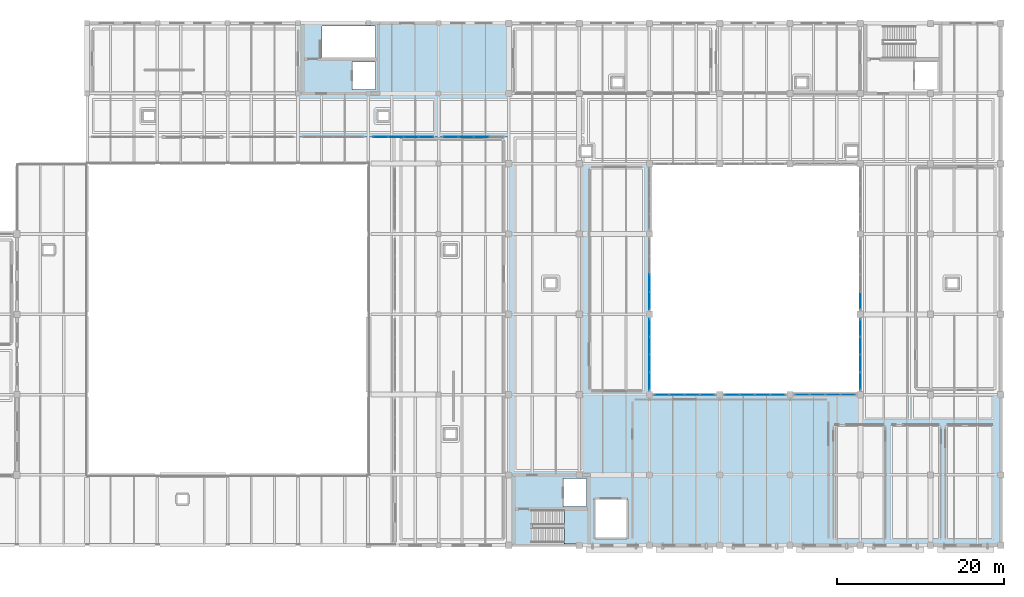
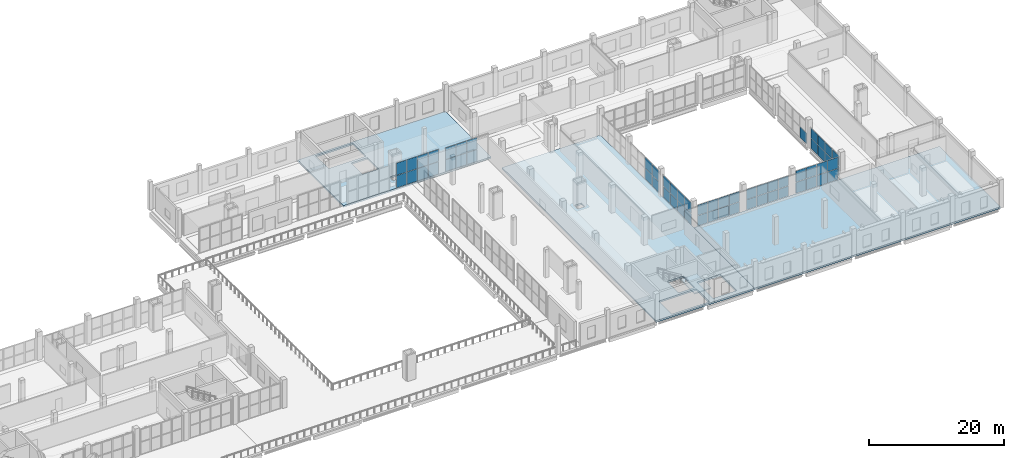
# One storey, part 54 of 77: 59 plates, 4 slabs, 10 elements without a shape of their own.
"""IFC4 building model written with IfcOpenShell, lengths in metres."""

from ifc_helpers import new_model, si_unit, direction, frame, origin, origin_2d, place, context, subcontext, project, spatial, polyline, rectangle, outline, extrude, material, layer, layer_set, type_object, element, aggregate, save


model = new_model("IFC4")

# Units and contexts
model_context = context("Model", 3, precision=1e-05, world=origin(), true_north=direction((0.0, 1.0)))
body_context = subcontext(model_context, "Body", "Model", "MODEL_VIEW")
ifc_project = project(units=[si_unit("LENGTHUNIT", "METRE"), si_unit("AREAUNIT", "SQUARE_METRE"), si_unit("VOLUMEUNIT", "CUBIC_METRE"), si_unit("PLANEANGLEUNIT", "RADIAN"), si_unit("MASSUNIT", "GRAM", prefix="KILO")], contexts=[model_context])

# Site, building, storey
site_placement = place(None, origin())
site = spatial("IfcSite", under=ifc_project, at=site_placement, CompositionType="ELEMENT")
building_placement = place(site_placement, origin())
building = spatial("IfcBuilding", under=site, at=building_placement, Name="Zulmaris Art Gallery", CompositionType="ELEMENT")
storey_placement = place(building_placement, frame((0.0, 0.0, 15.60009765625)))
storey = spatial("IfcBuildingStorey", under=building, at=storey_placement, Name="L03", CompositionType="ELEMENT", Elevation=15.60009765625)

# Curtain wall, plates
ifc_material_1 = material(Name="Unitised Low-E Gallery Curtain Wall", Category="aluminium")
ifc_layer_1 = layer(ifc_material_1, 0.179931640625)
ifc_layer_set_1 = layer_set([ifc_layer_1], Name="Unitised Low-E Gallery Curtain Wall")
curtain_wall_type_1 = type_object("IfcCurtainWallType", Name="CW-CW01", PredefinedType="NOTDEFINED", material=ifc_layer_set_1)
curtain_wall_1_placement = place(storey_placement, origin())
curtain_wall_1 = element("IfcCurtainWall", 1, at=curtain_wall_1_placement, inside=storey, type_object=curtain_wall_type_1, Name="L03 curtain wall 117", PredefinedType="NOTDEFINED")
ifc_material_2 = material(Name="Triple Solar-Control Laminated Glass", Category="glass")
ifc_layer_2 = layer(ifc_material_2, 0.035888671875)
ifc_layer_set_2 = layer_set([ifc_layer_2], Name="Triple Solar-Control Laminated Glass")
plate_type = type_object("IfcPlateType", Name="CWPAN-GLZ", PredefinedType="CURTAIN_PANEL", material=ifc_layer_set_2)
plate_1_placement = place(storey_placement, frame((126.273681640625, 62.0, 0.074951171875), z_axis=(0.0, 0.0, 1.0), x_axis=(1.0, 0.0, 0.0)))
plate_1 = element("IfcPlate", 2, at=plate_1_placement, type_object=plate_type, Name="CW01 panel 1.1", PredefinedType="CURTAIN_PANEL", context=body_context, shape_type="SweptSolid", body=[
    extrude(rectangle(XDim=1.717529296875, YDim=0.031982421875, at=origin_2d()), origin(), (0.0, 0.0, 1.0), 2.1875),
])
plate_2_placement = place(storey_placement, frame((126.273681640625, 62.0, 2.33740234375), z_axis=(0.0, 0.0, 1.0), x_axis=(1.0, 0.0, 0.0)))
plate_2 = element("IfcPlate", 3, at=plate_2_placement, type_object=plate_type, Name="CW01 panel 1.2", PredefinedType="CURTAIN_PANEL", context=body_context, shape_type="SweptSolid", body=[
    extrude(rectangle(XDim=1.717529296875, YDim=0.031982421875, at=origin_2d()), origin(), (0.0, 0.0, 1.0), 2.1875),
])
plate_3_placement = place(storey_placement, frame((128.0849609375, 62.0, 0.074951171875), z_axis=(0.0, 0.0, 1.0), x_axis=(1.0, 0.0, 0.0)))
plate_3 = element("IfcPlate", 4, at=plate_3_placement, type_object=plate_type, Name="CW01 panel 2.1", PredefinedType="CURTAIN_PANEL", context=body_context, shape_type="SweptSolid", body=[
    extrude(rectangle(XDim=1.7548828125, YDim=0.031982421875, at=origin_2d()), origin(), (0.0, 0.0, 1.0), 2.1875),
])
plate_4_placement = place(storey_placement, frame((128.0849609375, 62.0, 2.33740234375), z_axis=(0.0, 0.0, 1.0), x_axis=(1.0, 0.0, 0.0)))
plate_4 = element("IfcPlate", 5, at=plate_4_placement, type_object=plate_type, Name="CW01 panel 2.2", PredefinedType="CURTAIN_PANEL", context=body_context, shape_type="SweptSolid", body=[
    extrude(rectangle(XDim=1.7548828125, YDim=0.031982421875, at=origin_2d()), origin(), (0.0, 0.0, 1.0), 2.1875),
])
plate_5_placement = place(storey_placement, frame((129.9150390625, 62.0, 0.074951171875), z_axis=(0.0, 0.0, 1.0), x_axis=(1.0, 0.0, 0.0)))
plate_5 = element("IfcPlate", 6, at=plate_5_placement, type_object=plate_type, Name="CW01 panel 3.1", PredefinedType="CURTAIN_PANEL", context=body_context, shape_type="SweptSolid", body=[
    extrude(rectangle(XDim=1.7548828125, YDim=0.031982421875, at=origin_2d()), origin(), (0.0, 0.0, 1.0), 2.1875),
])
plate_6_placement = place(storey_placement, frame((129.9150390625, 62.0, 2.33740234375), z_axis=(0.0, 0.0, 1.0), x_axis=(1.0, 0.0, 0.0)))
plate_6 = element("IfcPlate", 7, at=plate_6_placement, type_object=plate_type, Name="CW01 panel 3.2", PredefinedType="CURTAIN_PANEL", context=body_context, shape_type="SweptSolid", body=[
    extrude(rectangle(XDim=1.7548828125, YDim=0.031982421875, at=origin_2d()), origin(), (0.0, 0.0, 1.0), 2.1875),
])
plate_7_placement = place(storey_placement, frame((131.726318359375, 62.0, 0.074951171875), z_axis=(0.0, 0.0, 1.0), x_axis=(1.0, 0.0, 0.0)))
plate_7 = element("IfcPlate", 8, at=plate_7_placement, type_object=plate_type, Name="CW01 panel 4.1", PredefinedType="CURTAIN_PANEL", context=body_context, shape_type="SweptSolid", body=[
    extrude(rectangle(XDim=1.717529296875, YDim=0.031982421875, at=origin_2d()), origin(), (0.0, 0.0, 1.0), 2.1875),
])
plate_8_placement = place(storey_placement, frame((131.726318359375, 62.0, 2.33740234375), z_axis=(0.0, 0.0, 1.0), x_axis=(1.0, 0.0, 0.0)))
plate_8 = element("IfcPlate", 9, at=plate_8_placement, type_object=plate_type, Name="CW01 panel 4.2", PredefinedType="CURTAIN_PANEL", context=body_context, shape_type="SweptSolid", body=[
    extrude(rectangle(XDim=1.717529296875, YDim=0.031982421875, at=origin_2d()), origin(), (0.0, 0.0, 1.0), 2.1875),
])
aggregate(curtain_wall_1, [plate_1, plate_2, plate_3, plate_4, plate_5, plate_6, plate_7, plate_8])

curtain_wall_2_placement = place(storey_placement, origin())
curtain_wall_2 = element("IfcCurtainWall", 10, at=curtain_wall_2_placement, inside=storey, type_object=curtain_wall_type_1, Name="L03 curtain wall 118", PredefinedType="NOTDEFINED")
plate_9_placement = place(storey_placement, frame((134.673828125, 62.0, 0.074951171875), z_axis=(0.0, 0.0, 1.0), x_axis=(1.0, 0.0, 0.0)))
plate_9 = element("IfcPlate", 11, at=plate_9_placement, type_object=plate_type, Name="CW01 panel 1.1", PredefinedType="CURTAIN_PANEL", context=body_context, shape_type="SweptSolid", body=[
    extrude(rectangle(XDim=1.717529296875, YDim=0.031982421875, at=origin_2d()), origin(), (0.0, 0.0, 1.0), 2.107421875),
])
plate_10_placement = place(storey_placement, frame((134.673828125, 62.0, 2.25732421875), z_axis=(0.0, 0.0, 1.0), x_axis=(1.0, 0.0, 0.0)))
plate_10 = element("IfcPlate", 12, at=plate_10_placement, type_object=plate_type, Name="CW01 panel 1.2", PredefinedType="CURTAIN_PANEL", context=body_context, shape_type="SweptSolid", body=[
    extrude(rectangle(XDim=1.717529296875, YDim=0.031982421875, at=origin_2d()), origin(), (0.0, 0.0, 1.0), 2.107421875),
])
plate_11_placement = place(storey_placement, frame((136.485107421875, 62.0, 0.074951171875), z_axis=(0.0, 0.0, 1.0), x_axis=(1.0, 0.0, 0.0)))
plate_11 = element("IfcPlate", 13, at=plate_11_placement, type_object=plate_type, Name="CW01 panel 2.1", PredefinedType="CURTAIN_PANEL", context=body_context, shape_type="SweptSolid", body=[
    extrude(rectangle(XDim=1.7548828125, YDim=0.031982421875, at=origin_2d()), origin(), (0.0, 0.0, 1.0), 2.107421875),
])
plate_12_placement = place(storey_placement, frame((136.485107421875, 62.0, 2.25732421875), z_axis=(0.0, 0.0, 1.0), x_axis=(1.0, 0.0, 0.0)))
plate_12 = element("IfcPlate", 14, at=plate_12_placement, type_object=plate_type, Name="CW01 panel 2.2", PredefinedType="CURTAIN_PANEL", context=body_context, shape_type="SweptSolid", body=[
    extrude(rectangle(XDim=1.7548828125, YDim=0.031982421875, at=origin_2d()), origin(), (0.0, 0.0, 1.0), 2.107421875),
])
plate_13_placement = place(storey_placement, frame((138.31494140625, 62.0, 0.074951171875), z_axis=(0.0, 0.0, 1.0), x_axis=(1.0, 0.0, 0.0)))
plate_13 = element("IfcPlate", 15, at=plate_13_placement, type_object=plate_type, Name="CW01 panel 3.1", PredefinedType="CURTAIN_PANEL", context=body_context, shape_type="SweptSolid", body=[
    extrude(rectangle(XDim=1.7548828125, YDim=0.031982421875, at=origin_2d()), origin(), (0.0, 0.0, 1.0), 2.107421875),
])
plate_14_placement = place(storey_placement, frame((138.31494140625, 62.0, 2.25732421875), z_axis=(0.0, 0.0, 1.0), x_axis=(1.0, 0.0, 0.0)))
plate_14 = element("IfcPlate", 16, at=plate_14_placement, type_object=plate_type, Name="CW01 panel 3.2", PredefinedType="CURTAIN_PANEL", context=body_context, shape_type="SweptSolid", body=[
    extrude(rectangle(XDim=1.7548828125, YDim=0.031982421875, at=origin_2d()), origin(), (0.0, 0.0, 1.0), 2.107421875),
])
aggregate(curtain_wall_2, [plate_9, plate_10, plate_11, plate_12, plate_13, plate_14])

ifc_material_3 = material(Name="Courtyard Artists Studio Curtain Wall", Category="aluminium")
ifc_layer_3 = layer(ifc_material_3, 0.179931640625)
ifc_layer_set_3 = layer_set([ifc_layer_3], Name="Courtyard Artists Studio Curtain Wall")
curtain_wall_type_2 = type_object("IfcCurtainWallType", Name="CW-CW04", PredefinedType="NOTDEFINED", material=ifc_layer_set_3)
curtain_wall_3_placement = place(storey_placement, origin())
curtain_wall_3 = element("IfcCurtainWall", 17, at=curtain_wall_3_placement, inside=storey, type_object=curtain_wall_type_2, Name="L03 curtain wall 147", PredefinedType="NOTDEFINED")
plate_15_placement = place(storey_placement, frame((158.39990234375, 32.82373046875, 0.07470703125), z_axis=(0.0, 0.0, 1.0), x_axis=(0.0, 1.0, 0.0)))
plate_15 = element("IfcPlate", 18, at=plate_15_placement, type_object=plate_type, Name="CW04 panel 1.1", PredefinedType="CURTAIN_PANEL", context=body_context, shape_type="SweptSolid", body=[
    extrude(rectangle(XDim=2.017578125, YDim=0.031982421875, at=origin_2d()), origin(), (0.0, 0.0, 1.0), 1.947509765625),
])
plate_16_placement = place(storey_placement, frame((158.39990234375, 32.82373046875, 2.09716796875), z_axis=(0.0, 0.0, 1.0), x_axis=(0.0, 1.0, 0.0)))
plate_16 = element("IfcPlate", 19, at=plate_16_placement, type_object=plate_type, Name="CW04 panel 1.2", PredefinedType="CURTAIN_PANEL", context=body_context, shape_type="SweptSolid", body=[
    extrude(rectangle(XDim=2.017578125, YDim=0.031982421875, at=origin_2d()), origin(), (0.0, 0.0, 1.0), 1.947509765625),
])
plate_17_placement = place(storey_placement, frame((158.39990234375, 34.93505859375, 0.07470703125), z_axis=(0.0, 0.0, 1.0), x_axis=(0.0, 1.0, 0.0)))
plate_17 = element("IfcPlate", 20, at=plate_17_placement, type_object=plate_type, Name="CW04 panel 2.1", PredefinedType="CURTAIN_PANEL", context=body_context, shape_type="SweptSolid", body=[
    extrude(rectangle(XDim=2.054931640625, YDim=0.031982421875, at=origin_2d()), origin(), (0.0, 0.0, 1.0), 1.947509765625),
])
plate_18_placement = place(storey_placement, frame((158.39990234375, 34.93505859375, 2.09716796875), z_axis=(0.0, 0.0, 1.0), x_axis=(0.0, 1.0, 0.0)))
plate_18 = element("IfcPlate", 21, at=plate_18_placement, type_object=plate_type, Name="CW04 panel 2.2", PredefinedType="CURTAIN_PANEL", context=body_context, shape_type="SweptSolid", body=[
    extrude(rectangle(XDim=2.054931640625, YDim=0.031982421875, at=origin_2d()), origin(), (0.0, 0.0, 1.0), 1.947509765625),
])
plate_19_placement = place(storey_placement, frame((158.39990234375, 37.06494140625, 0.07470703125), z_axis=(0.0, 0.0, 1.0), x_axis=(0.0, 1.0, 0.0)))
plate_19 = element("IfcPlate", 22, at=plate_19_placement, type_object=plate_type, Name="CW04 panel 3.1", PredefinedType="CURTAIN_PANEL", context=body_context, shape_type="SweptSolid", body=[
    extrude(rectangle(XDim=2.054931640625, YDim=0.031982421875, at=origin_2d()), origin(), (0.0, 0.0, 1.0), 1.947509765625),
])
plate_20_placement = place(storey_placement, frame((158.39990234375, 37.06494140625, 2.09716796875), z_axis=(0.0, 0.0, 1.0), x_axis=(0.0, 1.0, 0.0)))
plate_20 = element("IfcPlate", 23, at=plate_20_placement, type_object=plate_type, Name="CW04 panel 3.2", PredefinedType="CURTAIN_PANEL", context=body_context, shape_type="SweptSolid", body=[
    extrude(rectangle(XDim=2.054931640625, YDim=0.031982421875, at=origin_2d()), origin(), (0.0, 0.0, 1.0), 1.947509765625),
])
plate_21_placement = place(storey_placement, frame((158.39990234375, 39.17626953125, 0.07470703125), z_axis=(0.0, 0.0, 1.0), x_axis=(0.0, 1.0, 0.0)))
plate_21 = element("IfcPlate", 24, at=plate_21_placement, type_object=plate_type, Name="CW04 panel 4.1", PredefinedType="CURTAIN_PANEL", context=body_context, shape_type="SweptSolid", body=[
    extrude(rectangle(XDim=2.017578125, YDim=0.031982421875, at=origin_2d()), origin(), (0.0, 0.0, 1.0), 1.947509765625),
])
plate_22_placement = place(storey_placement, frame((158.39990234375, 39.17626953125, 2.09716796875), z_axis=(0.0, 0.0, 1.0), x_axis=(0.0, 1.0, 0.0)))
plate_22 = element("IfcPlate", 25, at=plate_22_placement, type_object=plate_type, Name="CW04 panel 4.2", PredefinedType="CURTAIN_PANEL", context=body_context, shape_type="SweptSolid", body=[
    extrude(rectangle(XDim=2.017578125, YDim=0.031982421875, at=origin_2d()), origin(), (0.0, 0.0, 1.0), 1.947509765625),
])
aggregate(curtain_wall_3, [plate_15, plate_16, plate_17, plate_18, plate_19, plate_20, plate_21, plate_22])

curtain_wall_4_placement = place(storey_placement, origin())
curtain_wall_4 = element("IfcCurtainWall", 26, at=curtain_wall_4_placement, inside=storey, type_object=curtain_wall_type_2, Name="L03 curtain wall 148", PredefinedType="NOTDEFINED")
plate_23_placement = place(storey_placement, frame((183.60009765625, 39.17626953125, 0.074951171875), z_axis=(0.0, 0.0, 1.0), x_axis=(0.0, -1.0, 0.0)))
plate_23 = element("IfcPlate", 27, at=plate_23_placement, type_object=plate_type, Name="CW04 panel 1.1", PredefinedType="CURTAIN_PANEL", context=body_context, shape_type="SweptSolid", body=[
    extrude(rectangle(XDim=2.017578125, YDim=0.031982421875, at=origin_2d()), origin(), (0.0, 0.0, 1.0), 1.79248046875),
])
plate_24_placement = place(storey_placement, frame((183.60009765625, 39.17626953125, 1.9423828125), z_axis=(0.0, 0.0, 1.0), x_axis=(0.0, -1.0, 0.0)))
plate_24 = element("IfcPlate", 28, at=plate_24_placement, type_object=plate_type, Name="CW04 panel 1.2", PredefinedType="CURTAIN_PANEL", context=body_context, shape_type="SweptSolid", body=[
    extrude(rectangle(XDim=2.017578125, YDim=0.031982421875, at=origin_2d()), origin(), (0.0, 0.0, 1.0), 1.79248046875),
])
plate_25_placement = place(storey_placement, frame((183.60009765625, 37.06494140625, 0.074951171875), z_axis=(0.0, 0.0, 1.0), x_axis=(0.0, -1.0, 0.0)))
plate_25 = element("IfcPlate", 29, at=plate_25_placement, type_object=plate_type, Name="CW04 panel 2.1", PredefinedType="CURTAIN_PANEL", context=body_context, shape_type="SweptSolid", body=[
    extrude(rectangle(XDim=2.054931640625, YDim=0.031982421875, at=origin_2d()), origin(), (0.0, 0.0, 1.0), 1.79248046875),
])
plate_26_placement = place(storey_placement, frame((183.60009765625, 37.06494140625, 1.9423828125), z_axis=(0.0, 0.0, 1.0), x_axis=(0.0, -1.0, 0.0)))
plate_26 = element("IfcPlate", 30, at=plate_26_placement, type_object=plate_type, Name="CW04 panel 2.2", PredefinedType="CURTAIN_PANEL", context=body_context, shape_type="SweptSolid", body=[
    extrude(rectangle(XDim=2.054931640625, YDim=0.031982421875, at=origin_2d()), origin(), (0.0, 0.0, 1.0), 1.79248046875),
])
plate_27_placement = place(storey_placement, frame((183.60009765625, 34.93505859375, 0.074951171875), z_axis=(0.0, 0.0, 1.0), x_axis=(0.0, -1.0, 0.0)))
plate_27 = element("IfcPlate", 31, at=plate_27_placement, type_object=plate_type, Name="CW04 panel 3.1", PredefinedType="CURTAIN_PANEL", context=body_context, shape_type="SweptSolid", body=[
    extrude(rectangle(XDim=2.054931640625, YDim=0.031982421875, at=origin_2d()), origin(), (0.0, 0.0, 1.0), 1.79248046875),
])
plate_28_placement = place(storey_placement, frame((183.60009765625, 34.93505859375, 1.9423828125), z_axis=(0.0, 0.0, 1.0), x_axis=(0.0, -1.0, 0.0)))
plate_28 = element("IfcPlate", 32, at=plate_28_placement, type_object=plate_type, Name="CW04 panel 3.2", PredefinedType="CURTAIN_PANEL", context=body_context, shape_type="SweptSolid", body=[
    extrude(rectangle(XDim=2.054931640625, YDim=0.031982421875, at=origin_2d()), origin(), (0.0, 0.0, 1.0), 1.79248046875),
])
plate_29_placement = place(storey_placement, frame((183.60009765625, 32.82373046875, 0.074951171875), z_axis=(0.0, 0.0, 1.0), x_axis=(0.0, -1.0, 0.0)))
plate_29 = element("IfcPlate", 33, at=plate_29_placement, type_object=plate_type, Name="CW04 panel 4.1", PredefinedType="CURTAIN_PANEL", context=body_context, shape_type="SweptSolid", body=[
    extrude(rectangle(XDim=2.017578125, YDim=0.031982421875, at=origin_2d()), origin(), (0.0, 0.0, 1.0), 1.79248046875),
])
plate_30_placement = place(storey_placement, frame((183.60009765625, 32.82373046875, 1.9423828125), z_axis=(0.0, 0.0, 1.0), x_axis=(0.0, -1.0, 0.0)))
plate_30 = element("IfcPlate", 34, at=plate_30_placement, type_object=plate_type, Name="CW04 panel 4.2", PredefinedType="CURTAIN_PANEL", context=body_context, shape_type="SweptSolid", body=[
    extrude(rectangle(XDim=2.017578125, YDim=0.031982421875, at=origin_2d()), origin(), (0.0, 0.0, 1.0), 1.79248046875),
])
aggregate(curtain_wall_4, [plate_23, plate_24, plate_25, plate_26, plate_27, plate_28, plate_29, plate_30])

curtain_wall_5_placement = place(storey_placement, origin())
curtain_wall_5 = element("IfcCurtainWall", 35, at=curtain_wall_5_placement, inside=storey, type_object=curtain_wall_type_2, Name="L03 curtain wall 149", PredefinedType="NOTDEFINED")
plate_31_placement = place(storey_placement, frame((158.39990234375, 42.423828125, 0.07470703125), z_axis=(0.0, 0.0, 1.0), x_axis=(0.0, 1.0, 0.0)))
plate_31 = element("IfcPlate", 36, at=plate_31_placement, type_object=plate_type, Name="CW04 panel 1.1", PredefinedType="CURTAIN_PANEL", context=body_context, shape_type="SweptSolid", body=[
    extrude(rectangle(XDim=2.017578125, YDim=0.031982421875, at=origin_2d()), origin(), (0.0, 0.0, 1.0), 1.947509765625),
])
plate_32_placement = place(storey_placement, frame((158.39990234375, 42.423828125, 2.09716796875), z_axis=(0.0, 0.0, 1.0), x_axis=(0.0, 1.0, 0.0)))
plate_32 = element("IfcPlate", 37, at=plate_32_placement, type_object=plate_type, Name="CW04 panel 1.2", PredefinedType="CURTAIN_PANEL", context=body_context, shape_type="SweptSolid", body=[
    extrude(rectangle(XDim=2.017578125, YDim=0.031982421875, at=origin_2d()), origin(), (0.0, 0.0, 1.0), 1.947509765625),
])
plate_33_placement = place(storey_placement, frame((158.39990234375, 44.534912109375, 0.07470703125), z_axis=(0.0, 0.0, 1.0), x_axis=(0.0, 1.0, 0.0)))
plate_33 = element("IfcPlate", 38, at=plate_33_placement, type_object=plate_type, Name="CW04 panel 2.1", PredefinedType="CURTAIN_PANEL", context=body_context, shape_type="SweptSolid", body=[
    extrude(rectangle(XDim=2.054931640625, YDim=0.031982421875, at=origin_2d()), origin(), (0.0, 0.0, 1.0), 1.947509765625),
])
plate_34_placement = place(storey_placement, frame((158.39990234375, 44.534912109375, 2.09716796875), z_axis=(0.0, 0.0, 1.0), x_axis=(0.0, 1.0, 0.0)))
plate_34 = element("IfcPlate", 39, at=plate_34_placement, type_object=plate_type, Name="CW04 panel 2.2", PredefinedType="CURTAIN_PANEL", context=body_context, shape_type="SweptSolid", body=[
    extrude(rectangle(XDim=2.054931640625, YDim=0.031982421875, at=origin_2d()), origin(), (0.0, 0.0, 1.0), 1.947509765625),
])
aggregate(curtain_wall_5, [plate_31, plate_32, plate_33, plate_34])

# Curtain wall, plate
curtain_wall_6_placement = place(storey_placement, origin())
curtain_wall_6 = element("IfcCurtainWall", 40, at=curtain_wall_6_placement, inside=storey, type_object=curtain_wall_type_2, Name="L03 curtain wall 150", PredefinedType="NOTDEFINED")
plate_35_placement = place(storey_placement, frame((183.60009765625, 42.423828125, 0.07470703125), z_axis=(0.0, 0.0, 1.0), x_axis=(0.0, -1.0, 0.0)))
plate_35 = element("IfcPlate", 41, at=plate_35_placement, type_object=plate_type, Name="CW04 panel 4.1", PredefinedType="CURTAIN_PANEL", context=body_context, shape_type="SweptSolid", body=[
    extrude(rectangle(XDim=2.017578125, YDim=0.031982421875, at=origin_2d()), origin(), (0.0, 0.0, 1.0), 1.947509765625),
])
aggregate(curtain_wall_6, [plate_35])

# Curtain wall, plates
curtain_wall_7_placement = place(storey_placement, origin())
curtain_wall_7 = element("IfcCurtainWall", 42, at=curtain_wall_7_placement, inside=storey, type_object=curtain_wall_type_2, Name="L03 curtain wall 154", PredefinedType="NOTDEFINED")
plate_36_placement = place(storey_placement, frame((159.873779296875, 31.199951171875, 0.07470703125), z_axis=(0.0, 0.0, 1.0), x_axis=(1.0, 0.0, 0.0)))
plate_36 = element("IfcPlate", 43, at=plate_36_placement, type_object=plate_type, Name="CW04 panel 1.1", PredefinedType="CURTAIN_PANEL", context=body_context, shape_type="SweptSolid", body=[
    extrude(rectangle(XDim=1.717529296875, YDim=0.031982421875, at=origin_2d()), origin(), (0.0, 0.0, 1.0), 1.842529296875),
])
plate_37_placement = place(storey_placement, frame((159.873779296875, 31.199951171875, 1.9921875), z_axis=(0.0, 0.0, 1.0), x_axis=(1.0, 0.0, 0.0)))
plate_37 = element("IfcPlate", 44, at=plate_37_placement, type_object=plate_type, Name="CW04 panel 1.2", PredefinedType="CURTAIN_PANEL", context=body_context, shape_type="SweptSolid", body=[
    extrude(rectangle(XDim=1.717529296875, YDim=0.031982421875, at=origin_2d()), origin(), (0.0, 0.0, 1.0), 1.842529296875),
])
plate_38_placement = place(storey_placement, frame((161.68505859375, 31.199951171875, 0.07470703125), z_axis=(0.0, 0.0, 1.0), x_axis=(1.0, 0.0, 0.0)))
plate_38 = element("IfcPlate", 45, at=plate_38_placement, type_object=plate_type, Name="CW04 panel 2.1", PredefinedType="CURTAIN_PANEL", context=body_context, shape_type="SweptSolid", body=[
    extrude(rectangle(XDim=1.7548828125, YDim=0.031982421875, at=origin_2d()), origin(), (0.0, 0.0, 1.0), 1.842529296875),
])
plate_39_placement = place(storey_placement, frame((161.68505859375, 31.199951171875, 1.9921875), z_axis=(0.0, 0.0, 1.0), x_axis=(1.0, 0.0, 0.0)))
plate_39 = element("IfcPlate", 46, at=plate_39_placement, type_object=plate_type, Name="CW04 panel 2.2", PredefinedType="CURTAIN_PANEL", context=body_context, shape_type="SweptSolid", body=[
    extrude(rectangle(XDim=1.7548828125, YDim=0.031982421875, at=origin_2d()), origin(), (0.0, 0.0, 1.0), 1.842529296875),
])
plate_40_placement = place(storey_placement, frame((163.514892578125, 31.199951171875, 0.07470703125), z_axis=(0.0, 0.0, 1.0), x_axis=(1.0, 0.0, 0.0)))
plate_40 = element("IfcPlate", 47, at=plate_40_placement, type_object=plate_type, Name="CW04 panel 3.1", PredefinedType="CURTAIN_PANEL", context=body_context, shape_type="SweptSolid", body=[
    extrude(rectangle(XDim=1.7548828125, YDim=0.031982421875, at=origin_2d()), origin(), (0.0, 0.0, 1.0), 1.842529296875),
])
plate_41_placement = place(storey_placement, frame((163.514892578125, 31.199951171875, 1.9921875), z_axis=(0.0, 0.0, 1.0), x_axis=(1.0, 0.0, 0.0)))
plate_41 = element("IfcPlate", 48, at=plate_41_placement, type_object=plate_type, Name="CW04 panel 3.2", PredefinedType="CURTAIN_PANEL", context=body_context, shape_type="SweptSolid", body=[
    extrude(rectangle(XDim=1.7548828125, YDim=0.031982421875, at=origin_2d()), origin(), (0.0, 0.0, 1.0), 1.842529296875),
])
plate_42_placement = place(storey_placement, frame((165.326171875, 31.199951171875, 0.07470703125), z_axis=(0.0, 0.0, 1.0), x_axis=(1.0, 0.0, 0.0)))
plate_42 = element("IfcPlate", 49, at=plate_42_placement, type_object=plate_type, Name="CW04 panel 4.1", PredefinedType="CURTAIN_PANEL", context=body_context, shape_type="SweptSolid", body=[
    extrude(rectangle(XDim=1.717529296875, YDim=0.031982421875, at=origin_2d()), origin(), (0.0, 0.0, 1.0), 1.842529296875),
])
plate_43_placement = place(storey_placement, frame((165.326171875, 31.199951171875, 1.9921875), z_axis=(0.0, 0.0, 1.0), x_axis=(1.0, 0.0, 0.0)))
plate_43 = element("IfcPlate", 50, at=plate_43_placement, type_object=plate_type, Name="CW04 panel 4.2", PredefinedType="CURTAIN_PANEL", context=body_context, shape_type="SweptSolid", body=[
    extrude(rectangle(XDim=1.717529296875, YDim=0.031982421875, at=origin_2d()), origin(), (0.0, 0.0, 1.0), 1.842529296875),
])
aggregate(curtain_wall_7, [plate_36, plate_37, plate_38, plate_39, plate_40, plate_41, plate_42, plate_43])

curtain_wall_8_placement = place(storey_placement, origin())
curtain_wall_8 = element("IfcCurtainWall", 51, at=curtain_wall_8_placement, inside=storey, type_object=curtain_wall_type_2, Name="L03 curtain wall 156", PredefinedType="NOTDEFINED")
plate_44_placement = place(storey_placement, frame((168.273681640625, 31.199951171875, 0.074951171875), z_axis=(0.0, 0.0, 1.0), x_axis=(1.0, 0.0, 0.0)))
plate_44 = element("IfcPlate", 52, at=plate_44_placement, type_object=plate_type, Name="CW04 panel 1.1", PredefinedType="CURTAIN_PANEL", context=body_context, shape_type="SweptSolid", body=[
    extrude(rectangle(XDim=1.717529296875, YDim=0.031982421875, at=origin_2d()), origin(), (0.0, 0.0, 1.0), 1.79248046875),
])
plate_45_placement = place(storey_placement, frame((168.273681640625, 31.199951171875, 1.9423828125), z_axis=(0.0, 0.0, 1.0), x_axis=(1.0, 0.0, 0.0)))
plate_45 = element("IfcPlate", 53, at=plate_45_placement, type_object=plate_type, Name="CW04 panel 1.2", PredefinedType="CURTAIN_PANEL", context=body_context, shape_type="SweptSolid", body=[
    extrude(rectangle(XDim=1.717529296875, YDim=0.031982421875, at=origin_2d()), origin(), (0.0, 0.0, 1.0), 1.79248046875),
])
plate_46_placement = place(storey_placement, frame((170.0849609375, 31.199951171875, 0.074951171875), z_axis=(0.0, 0.0, 1.0), x_axis=(1.0, 0.0, 0.0)))
plate_46 = element("IfcPlate", 54, at=plate_46_placement, type_object=plate_type, Name="CW04 panel 2.1", PredefinedType="CURTAIN_PANEL", context=body_context, shape_type="SweptSolid", body=[
    extrude(rectangle(XDim=1.7548828125, YDim=0.031982421875, at=origin_2d()), origin(), (0.0, 0.0, 1.0), 1.79248046875),
])
plate_47_placement = place(storey_placement, frame((170.0849609375, 31.199951171875, 1.9423828125), z_axis=(0.0, 0.0, 1.0), x_axis=(1.0, 0.0, 0.0)))
plate_47 = element("IfcPlate", 55, at=plate_47_placement, type_object=plate_type, Name="CW04 panel 2.2", PredefinedType="CURTAIN_PANEL", context=body_context, shape_type="SweptSolid", body=[
    extrude(rectangle(XDim=1.7548828125, YDim=0.031982421875, at=origin_2d()), origin(), (0.0, 0.0, 1.0), 1.79248046875),
])
plate_48_placement = place(storey_placement, frame((171.9150390625, 31.199951171875, 0.074951171875), z_axis=(0.0, 0.0, 1.0), x_axis=(1.0, 0.0, 0.0)))
plate_48 = element("IfcPlate", 56, at=plate_48_placement, type_object=plate_type, Name="CW04 panel 3.1", PredefinedType="CURTAIN_PANEL", context=body_context, shape_type="SweptSolid", body=[
    extrude(rectangle(XDim=1.7548828125, YDim=0.031982421875, at=origin_2d()), origin(), (0.0, 0.0, 1.0), 1.79248046875),
])
plate_49_placement = place(storey_placement, frame((171.9150390625, 31.199951171875, 1.9423828125), z_axis=(0.0, 0.0, 1.0), x_axis=(1.0, 0.0, 0.0)))
plate_49 = element("IfcPlate", 57, at=plate_49_placement, type_object=plate_type, Name="CW04 panel 3.2", PredefinedType="CURTAIN_PANEL", context=body_context, shape_type="SweptSolid", body=[
    extrude(rectangle(XDim=1.7548828125, YDim=0.031982421875, at=origin_2d()), origin(), (0.0, 0.0, 1.0), 1.79248046875),
])
plate_50_placement = place(storey_placement, frame((173.726318359375, 31.199951171875, 0.074951171875), z_axis=(0.0, 0.0, 1.0), x_axis=(1.0, 0.0, 0.0)))
plate_50 = element("IfcPlate", 58, at=plate_50_placement, type_object=plate_type, Name="CW04 panel 4.1", PredefinedType="CURTAIN_PANEL", context=body_context, shape_type="SweptSolid", body=[
    extrude(rectangle(XDim=1.717529296875, YDim=0.031982421875, at=origin_2d()), origin(), (0.0, 0.0, 1.0), 1.79248046875),
])
plate_51_placement = place(storey_placement, frame((173.726318359375, 31.199951171875, 1.9423828125), z_axis=(0.0, 0.0, 1.0), x_axis=(1.0, 0.0, 0.0)))
plate_51 = element("IfcPlate", 59, at=plate_51_placement, type_object=plate_type, Name="CW04 panel 4.2", PredefinedType="CURTAIN_PANEL", context=body_context, shape_type="SweptSolid", body=[
    extrude(rectangle(XDim=1.717529296875, YDim=0.031982421875, at=origin_2d()), origin(), (0.0, 0.0, 1.0), 1.79248046875),
])
aggregate(curtain_wall_8, [plate_44, plate_45, plate_46, plate_47, plate_48, plate_49, plate_50, plate_51])

curtain_wall_9_placement = place(storey_placement, origin())
curtain_wall_9 = element("IfcCurtainWall", 60, at=curtain_wall_9_placement, inside=storey, type_object=curtain_wall_type_2, Name="L03 curtain wall 158", PredefinedType="NOTDEFINED")
plate_52_placement = place(storey_placement, frame((176.673828125, 31.199951171875, 0.074951171875), z_axis=(0.0, 0.0, 1.0), x_axis=(1.0, 0.0, 0.0)))
plate_52 = element("IfcPlate", 61, at=plate_52_placement, type_object=plate_type, Name="CW04 panel 1.1", PredefinedType="CURTAIN_PANEL", context=body_context, shape_type="SweptSolid", body=[
    extrude(rectangle(XDim=1.717529296875, YDim=0.031982421875, at=origin_2d()), origin(), (0.0, 0.0, 1.0), 1.982421875),
])
plate_53_placement = place(storey_placement, frame((176.673828125, 31.199951171875, 2.13232421875), z_axis=(0.0, 0.0, 1.0), x_axis=(1.0, 0.0, 0.0)))
plate_53 = element("IfcPlate", 62, at=plate_53_placement, type_object=plate_type, Name="CW04 panel 1.2", PredefinedType="CURTAIN_PANEL", context=body_context, shape_type="SweptSolid", body=[
    extrude(rectangle(XDim=1.717529296875, YDim=0.031982421875, at=origin_2d()), origin(), (0.0, 0.0, 1.0), 1.982421875),
])
plate_54_placement = place(storey_placement, frame((178.485107421875, 31.199951171875, 0.074951171875), z_axis=(0.0, 0.0, 1.0), x_axis=(1.0, 0.0, 0.0)))
plate_54 = element("IfcPlate", 63, at=plate_54_placement, type_object=plate_type, Name="CW04 panel 2.1", PredefinedType="CURTAIN_PANEL", context=body_context, shape_type="SweptSolid", body=[
    extrude(rectangle(XDim=1.7548828125, YDim=0.031982421875, at=origin_2d()), origin(), (0.0, 0.0, 1.0), 1.982421875),
])
plate_55_placement = place(storey_placement, frame((178.485107421875, 31.199951171875, 2.13232421875), z_axis=(0.0, 0.0, 1.0), x_axis=(1.0, 0.0, 0.0)))
plate_55 = element("IfcPlate", 64, at=plate_55_placement, type_object=plate_type, Name="CW04 panel 2.2", PredefinedType="CURTAIN_PANEL", context=body_context, shape_type="SweptSolid", body=[
    extrude(rectangle(XDim=1.7548828125, YDim=0.031982421875, at=origin_2d()), origin(), (0.0, 0.0, 1.0), 1.982421875),
])
plate_56_placement = place(storey_placement, frame((180.31494140625, 31.199951171875, 0.074951171875), z_axis=(0.0, 0.0, 1.0), x_axis=(1.0, 0.0, 0.0)))
plate_56 = element("IfcPlate", 65, at=plate_56_placement, type_object=plate_type, Name="CW04 panel 3.1", PredefinedType="CURTAIN_PANEL", context=body_context, shape_type="SweptSolid", body=[
    extrude(rectangle(XDim=1.7548828125, YDim=0.031982421875, at=origin_2d()), origin(), (0.0, 0.0, 1.0), 1.982421875),
])
plate_57_placement = place(storey_placement, frame((180.31494140625, 31.199951171875, 2.13232421875), z_axis=(0.0, 0.0, 1.0), x_axis=(1.0, 0.0, 0.0)))
plate_57 = element("IfcPlate", 66, at=plate_57_placement, type_object=plate_type, Name="CW04 panel 3.2", PredefinedType="CURTAIN_PANEL", context=body_context, shape_type="SweptSolid", body=[
    extrude(rectangle(XDim=1.7548828125, YDim=0.031982421875, at=origin_2d()), origin(), (0.0, 0.0, 1.0), 1.982421875),
])
plate_58_placement = place(storey_placement, frame((182.126220703125, 31.199951171875, 0.074951171875), z_axis=(0.0, 0.0, 1.0), x_axis=(1.0, 0.0, 0.0)))
plate_58 = element("IfcPlate", 67, at=plate_58_placement, type_object=plate_type, Name="CW04 panel 4.1", PredefinedType="CURTAIN_PANEL", context=body_context, shape_type="SweptSolid", body=[
    extrude(rectangle(XDim=1.717529296875, YDim=0.031982421875, at=origin_2d()), origin(), (0.0, 0.0, 1.0), 1.982421875),
])
plate_59_placement = place(storey_placement, frame((182.126220703125, 31.199951171875, 2.13232421875), z_axis=(0.0, 0.0, 1.0), x_axis=(1.0, 0.0, 0.0)))
plate_59 = element("IfcPlate", 68, at=plate_59_placement, type_object=plate_type, Name="CW04 panel 4.2", PredefinedType="CURTAIN_PANEL", context=body_context, shape_type="SweptSolid", body=[
    extrude(rectangle(XDim=1.717529296875, YDim=0.031982421875, at=origin_2d()), origin(), (0.0, 0.0, 1.0), 1.982421875),
])
aggregate(curtain_wall_9, [plate_52, plate_53, plate_54, plate_55, plate_56, plate_57, plate_58, plate_59])

# Slabs
ifc_material_4 = material(Name="Concrete C40/50", Category="concrete")
ifc_layer_4 = layer(ifc_material_4, 0.31005859375)
ifc_layer_set_4 = layer_set([ifc_layer_4], Name="Concrete C40/50")
slab_type_1 = type_object("IfcSlabType", Name="SLAB-SL-FL03", PredefinedType="FLOOR", material=ifc_layer_set_4)
slab_1_placement = place(storey_placement, frame((0.0, 0.0, -0.31005859375)))
element("IfcSlab", 69, at=slab_1_placement, inside=storey, type_object=slab_type_1, Name="L03 V4-NE-STEP slab", PredefinedType="FLOOR", context=body_context, shape_type="SweptSolid", body=[
    extrude(outline(polyline([(116.39990234375, 62.0), (116.39990234375, 75.60009765625), (141.60009765625, 75.60009765625), (141.60009765625, 62.0), (116.39990234375, 62.0)]), holes=[polyline([(125.64990234375, 67.64990234375), (125.64990234375, 70.97998046875), (122.85009765625, 70.97998046875), (122.85009765625, 67.64990234375), (125.64990234375, 67.64990234375)]), polyline([(125.64990234375, 71.409912109375), (125.64990234375, 75.25), (119.260009765625, 75.25), (119.260009765625, 71.409912109375), (125.64990234375, 71.409912109375)]), polyline([(127.199951171875, 64.0), (127.199951171875, 65.0), (126.0, 65.0), (126.0, 64.0), (127.199951171875, 64.0)])]), origin(), (0.0, 0.0, 1.0), 0.31005859375),
])
slab_2_placement = place(storey_placement, frame((0.0, 0.0, -0.31005859375)))
element("IfcSlab", 70, at=slab_2_placement, inside=storey, type_object=slab_type_1, Name="L03 V5-SW slab", PredefinedType="FLOOR", context=body_context, shape_type="SweptSolid", body=[
    extrude(outline(polyline([(158.39990234375, 58.800048828125), (158.39990234375, 31.199951171875), (158.39990234375, 13.199951171875), (141.60009765625, 13.199951171875), (141.60009765625, 58.800048828125), (158.39990234375, 58.800048828125)]), holes=[polyline([(144.4599609375, 13.550048828125), (150.85009765625, 13.550048828125), (150.85009765625, 17.389892578125), (144.4599609375, 17.389892578125), (144.4599609375, 13.550048828125)]), polyline([(155.800048828125, 14.0), (155.800048828125, 18.800048828125), (151.800048828125, 18.800048828125), (151.800048828125, 14.0), (155.800048828125, 14.0)]), polyline([(150.85009765625, 17.820068359375), (150.85009765625, 21.14990234375), (148.050048828125, 21.14990234375), (148.050048828125, 17.820068359375), (150.85009765625, 17.820068359375)]), polyline([(147.199951171875, 44.0), (147.199951171875, 45.0), (146.0, 45.0), (146.0, 44.0), (147.199951171875, 44.0)])]), origin(), (0.0, 0.0, 1.0), 0.31005859375),
])
slab_3_placement = place(storey_placement, frame((0.0, 0.0, -0.31005859375)))
element("IfcSlab", 71, at=slab_3_placement, inside=storey, type_object=slab_type_1, Name="L03 V5-SE slab", PredefinedType="FLOOR", context=body_context, shape_type="SweptSolid", body=[
    extrude(outline(polyline([(158.39990234375, 13.199951171875), (158.39990234375, 31.199951171875), (183.60009765625, 31.199951171875), (200.39990234375, 31.199951171875), (200.39990234375, 13.199951171875), (158.39990234375, 13.199951171875)])), origin(), (0.0, 0.0, 1.0), 0.31005859375),
])

# Stair, slab
stair_type = type_object("IfcStairType", Name="STAIR-CORE", PredefinedType="HALF_TURN_STAIR", material=ifc_material_4)
stair_placement = place(storey_placement, origin())
stair = element("IfcStair", 72, at=stair_placement, inside=storey, type_object=stair_type, Name="L03 Exit Stair ST3", PredefinedType="HALF_TURN_STAIR")
ifc_layer_5 = layer(ifc_material_4, 0.2099609375)
ifc_layer_set_5 = layer_set([ifc_layer_5], Name="Concrete C40/50")
slab_type_2 = type_object("IfcSlabType", Name="SLAB-STLND", PredefinedType="LANDING", material=ifc_layer_set_5)
slab_4_placement = place(storey_placement, frame((0.0, 0.0, 2.349853515625)))
slab_4 = element("IfcSlab", 73, at=slab_4_placement, type_object=slab_type_2, Name="ST3 landing 1", PredefinedType="LANDING", context=body_context, shape_type="SweptSolid", body=[
    extrude(outline(polyline([(148.219970703125, 13.330078125), (151.050048828125, 13.330078125), (151.050048828125, 17.610107421875), (148.219970703125, 17.610107421875), (148.219970703125, 13.330078125)])), origin(), (0.0, 0.0, 1.0), 0.199951171875),
])
aggregate(stair, [slab_4])

save(model, "model.ifc")
